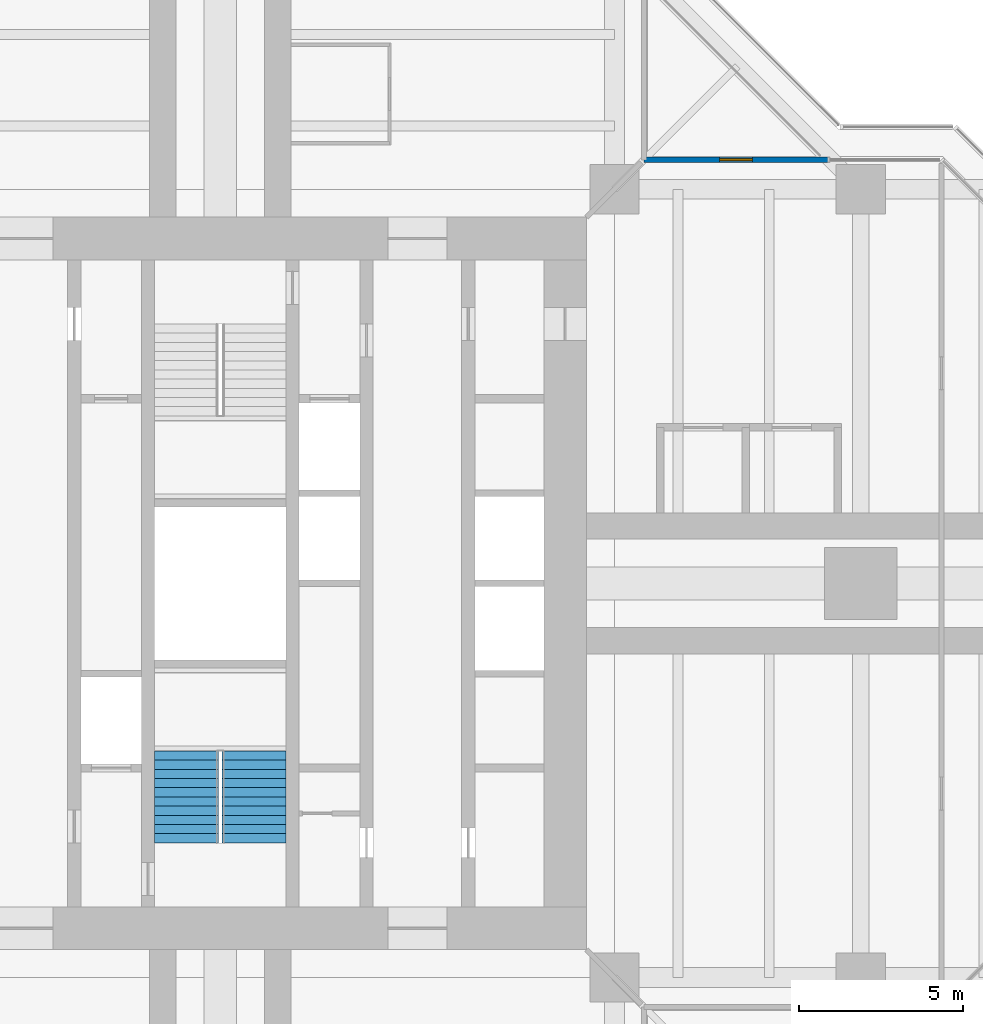
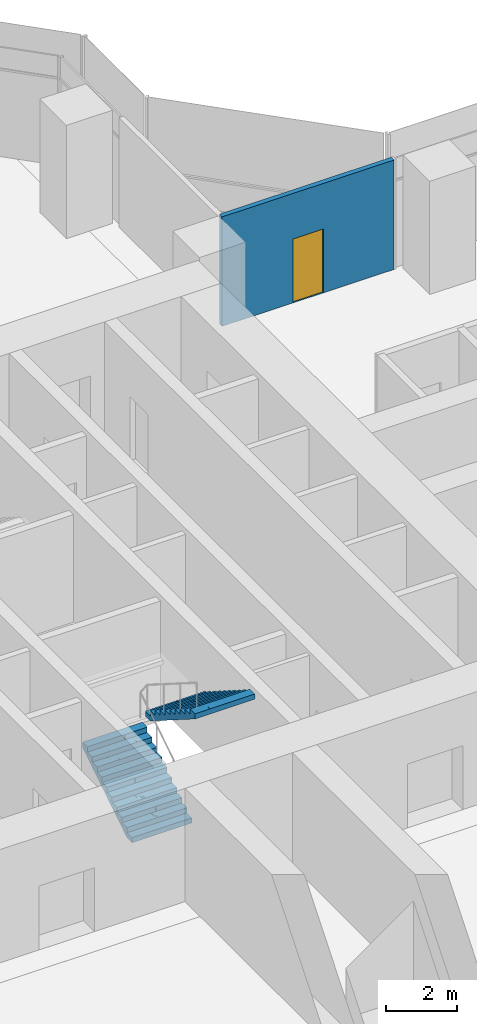
# One storey, part 17 of 19: 2 stair flights, 1 door, 1 wall, 1 opening, 1 element without a shape of its own.
"""IFC4 building model written with IfcOpenShell, lengths in metres."""

from ifc_helpers import new_model, si_unit, direction, frame, frame_2d, origin, place, context, subcontext, project, spatial, polyline, rectangle, outline, extrude, material, layer, layer_set, type_object, element, fill, aggregate, save


model = new_model("IFC4")

# Units and contexts
model_context = context("Model", 3, precision=1e-05, world=origin(), true_north=direction((0.0, 1.0)))
body_context = subcontext(model_context, "Body", "Model", "MODEL_VIEW")
ifc_project = project(units=[si_unit("LENGTHUNIT", "METRE"), si_unit("AREAUNIT", "SQUARE_METRE"), si_unit("VOLUMEUNIT", "CUBIC_METRE"), si_unit("PLANEANGLEUNIT", "RADIAN"), si_unit("MASSUNIT", "GRAM", prefix="KILO")], contexts=[model_context])

# Site, building, storey
site_placement = place(None, origin())
site = spatial("IfcSite", under=ifc_project, at=site_placement, CompositionType="ELEMENT")
building_placement = place(site_placement, origin())
building = spatial("IfcBuilding", under=site, at=building_placement, Name="Mizan Broadcast Tower", CompositionType="ELEMENT")
storey_placement = place(building_placement, frame((0.0, 0.0, 204.89990234375)))
storey = spatial("IfcBuildingStorey", under=building, at=storey_placement, Name="L47", CompositionType="ELEMENT", Elevation=204.89990234375)

# Wall, opening, door
ifc_material_1 = material(Name="Aluminium framed glazed screen", Category="aluminium")
ifc_layer = layer(ifc_material_1, 0.159912109375)
ifc_layer_set = layer_set([ifc_layer], Name="Aluminium framed glazed screen")
wall_type = type_object("IfcWallType", Name="GLAZED SCREEN WALL 160", PredefinedType="SOLIDWALL", material=ifc_layer_set)
wall_placement = place(storey_placement, frame((18.5, 12.89990234375, 0.0), z_axis=(0.0, 0.0, 1.0), x_axis=(-1.0, 0.0, 0.0)))
wall = element("IfcWall", 1, at=wall_placement, inside=storey, type_object=wall_type, Name="Winter garden screen L47 E", PredefinedType="SOLIDWALL", context=body_context, shape_type="SweptSolid", body=[
    extrude(rectangle(XDim=5.60009765625, YDim=0.159912109375, at=frame_2d((2.800048828125, 0.0))), origin(), (0.0, 0.0, 1.0), 3.77001953125),
])
opening_placement = place(wall_placement, frame((2.300048828125, 0.0, 0.0)))
opening = element("IfcOpeningElement", 2, at=opening_placement, cuts=wall, Name="Opening WGD", PredefinedType="OPENING", context=body_context, shape_type="SweptSolid", body=[
    extrude(rectangle(XDim=1.0, YDim=2.199951171875, at=frame_2d((0.5, 1.10009765625))), frame((0.0, 0.08984375, 0.0), z_axis=(0.0, -1.0, 0.0), x_axis=(1.0, 0.0, 0.0)), (0.0, 0.0, 1.0), 0.179931640625),
])
ifc_material_2 = material(Name="Aluminium framed glazed door", Category="aluminium")
door_type = type_object("IfcDoorType", Name="WINTER GARDEN DOOR 1000 GLAZED", OperationType="SINGLE_SWING_LEFT", PredefinedType="DOOR", material=ifc_material_2)
door_placement = place(opening_placement, origin())
door = element("IfcDoor", 3, at=door_placement, inside=storey, type_object=door_type, Name="Winter garden door L47 E", OperationType="SINGLE_SWING_RIGHT", OverallHeight=2.199951171875, OverallWidth=1.0, PredefinedType="DOOR", context=body_context, shape_type="SweptSolid", body=[
    extrude(rectangle(XDim=1.0, YDim=2.199951171875, at=frame_2d((0.5, 1.10009765625))), frame((0.0, 0.02490234375, 0.0), z_axis=(0.0, -1.0, 0.0), x_axis=(1.0, 0.0, 0.0)), (0.0, 0.0, 1.0), 0.050048828125),
])
fill(opening, door)

# Stair, stair flights
ifc_material_3 = material(Name="Concrete C40/50", Category="concrete")
stair_type = type_object("IfcStairType", Name="EXIT STAIR", PredefinedType="HALF_TURN_STAIR", material=ifc_material_3)
stair_placement = place(storey_placement, origin())
stair = element("IfcStair", 4, at=stair_placement, inside=storey, type_object=stair_type, Name="Stair A L47", PredefinedType="HALF_TURN_STAIR")
ifc_material_4 = material(Name="Concrete C40/50", Category="concrete")
stair_flight_type = type_object("IfcStairFlightType", Name="EXIT STAIR FLIGHT", PredefinedType="STRAIGHT", material=ifc_material_4)
stair_flight_1_placement = place(storey_placement, frame((-1.02490234375, -7.89990234375, 0.0), z_axis=(0.0, 0.0, 1.0), x_axis=(0.0, 1.0, 0.0)))
stair_flight_1 = element("IfcStairFlight", 5, at=stair_flight_1_placement, type_object=stair_flight_type, Name="A flight 1", NumberOfRisers=11, NumberOfTreads=10, PredefinedType="STRAIGHT", RiserHeight=0.177272727, TreadLength=0.28, context=body_context, shape_type="SweptSolid", body=[
    extrude(outline(polyline([(0.0, 0.0), (0.0, 0.17724609375), (0.280029296875, 0.17724609375), (0.280029296875, 0.3544921875), (0.56005859375, 0.3544921875), (0.56005859375, 0.53173828125), (0.840087890625, 0.53173828125), (0.840087890625, 0.708984375), (1.1201171875, 0.708984375), (1.1201171875, 0.886474609375), (1.39990234375, 0.886474609375), (1.39990234375, 1.063720703125), (1.679931640625, 1.063720703125), (1.679931640625, 1.240966796875), (1.9599609375, 1.240966796875), (1.9599609375, 1.418212890625), (2.239990234375, 1.418212890625), (2.239990234375, 1.595458984375), (2.52001953125, 1.595458984375), (2.52001953125, 1.772705078125), (2.800048828125, 1.772705078125), (2.800048828125, 1.949951171875), (2.800048828125, 1.59521484375), (0.2802734375, 0.0), (0.0, 0.0)])), frame((0.0, 0.97509765625, 0.0), z_axis=(0.0, -1.0, 0.0), x_axis=(1.0, 0.0, 0.0)), (0.0, 0.0, 1.0), 0.4873046875),
    extrude(outline(polyline([(0.0, 0.0), (0.0, 0.17724609375), (0.280029296875, 0.17724609375), (0.280029296875, 0.3544921875), (0.56005859375, 0.3544921875), (0.56005859375, 0.53173828125), (0.840087890625, 0.53173828125), (0.840087890625, 0.708984375), (1.1201171875, 0.708984375), (1.1201171875, 0.886474609375), (1.39990234375, 0.886474609375), (1.39990234375, 1.063720703125), (1.679931640625, 1.063720703125), (1.679931640625, 1.240966796875), (1.9599609375, 1.240966796875), (1.9599609375, 1.418212890625), (2.239990234375, 1.418212890625), (2.239990234375, 1.595458984375), (2.52001953125, 1.595458984375), (2.52001953125, 1.772705078125), (2.800048828125, 1.772705078125), (2.800048828125, 1.949951171875), (2.800048828125, 1.59521484375), (0.2802734375, 0.0), (0.0, 0.0)])), frame((0.0, 0.4873046875, 0.0), z_axis=(0.0, -1.0, 0.0), x_axis=(1.0, 0.0, 0.0)), (0.0, 0.0, 1.0), 0.2431640625),
    extrude(outline(polyline([(0.0, 0.0), (0.0, 0.17724609375), (0.280029296875, 0.17724609375), (0.280029296875, 0.3544921875), (0.56005859375, 0.3544921875), (0.56005859375, 0.53173828125), (0.840087890625, 0.53173828125), (0.840087890625, 0.708984375), (1.1201171875, 0.708984375), (1.1201171875, 0.886474609375), (1.39990234375, 0.886474609375), (1.39990234375, 1.063720703125), (1.679931640625, 1.063720703125), (1.679931640625, 1.240966796875), (1.9599609375, 1.240966796875), (1.9599609375, 1.418212890625), (2.239990234375, 1.418212890625), (2.239990234375, 1.595458984375), (2.52001953125, 1.595458984375), (2.52001953125, 1.772705078125), (2.800048828125, 1.772705078125), (2.800048828125, 1.949951171875), (2.800048828125, 1.59521484375), (0.2802734375, 0.0), (0.0, 0.0)])), frame((0.0, 0.24365234375, 0.0), z_axis=(0.0, -1.0, 0.0), x_axis=(1.0, 0.0, 0.0)), (0.0, 0.0, 1.0), 0.121337890625),
    extrude(outline(polyline([(0.0, 0.0), (0.0, 0.17724609375), (0.280029296875, 0.17724609375), (0.280029296875, 0.3544921875), (0.56005859375, 0.3544921875), (0.56005859375, 0.53173828125), (0.840087890625, 0.53173828125), (0.840087890625, 0.708984375), (1.1201171875, 0.708984375), (1.1201171875, 0.886474609375), (1.39990234375, 0.886474609375), (1.39990234375, 1.063720703125), (1.679931640625, 1.063720703125), (1.679931640625, 1.240966796875), (1.9599609375, 1.240966796875), (1.9599609375, 1.418212890625), (2.239990234375, 1.418212890625), (2.239990234375, 1.595458984375), (2.52001953125, 1.595458984375), (2.52001953125, 1.772705078125), (2.800048828125, 1.772705078125), (2.800048828125, 1.949951171875), (2.800048828125, 1.59521484375), (0.2802734375, 0.0), (0.0, 0.0)])), frame((0.0, 0.121826171875, 0.0), z_axis=(0.0, -1.0, 0.0), x_axis=(1.0, 0.0, 0.0)), (0.0, 0.0, 1.0), 0.060546875),
    extrude(outline(polyline([(0.0, 0.0), (0.0, 0.17724609375), (0.280029296875, 0.17724609375), (0.280029296875, 0.3544921875), (0.56005859375, 0.3544921875), (0.56005859375, 0.53173828125), (0.840087890625, 0.53173828125), (0.840087890625, 0.708984375), (1.1201171875, 0.708984375), (1.1201171875, 0.886474609375), (1.39990234375, 0.886474609375), (1.39990234375, 1.063720703125), (1.679931640625, 1.063720703125), (1.679931640625, 1.240966796875), (1.9599609375, 1.240966796875), (1.9599609375, 1.418212890625), (2.239990234375, 1.418212890625), (2.239990234375, 1.595458984375), (2.52001953125, 1.595458984375), (2.52001953125, 1.772705078125), (2.800048828125, 1.772705078125), (2.800048828125, 1.949951171875), (2.800048828125, 1.59521484375), (0.2802734375, 0.0), (0.0, 0.0)])), frame((0.0, 0.060791015625, 0.0), z_axis=(0.0, -1.0, 0.0), x_axis=(1.0, 0.0, 0.0)), (0.0, 0.0, 1.0), 0.030029296875),
    extrude(outline(polyline([(0.0, 0.0), (0.0, 0.17724609375), (0.280029296875, 0.17724609375), (0.280029296875, 0.3544921875), (0.56005859375, 0.3544921875), (0.56005859375, 0.53173828125), (0.840087890625, 0.53173828125), (0.840087890625, 0.708984375), (1.1201171875, 0.708984375), (1.1201171875, 0.886474609375), (1.39990234375, 0.886474609375), (1.39990234375, 1.063720703125), (1.679931640625, 1.063720703125), (1.679931640625, 1.240966796875), (1.9599609375, 1.240966796875), (1.9599609375, 1.418212890625), (2.239990234375, 1.418212890625), (2.239990234375, 1.595458984375), (2.52001953125, 1.595458984375), (2.52001953125, 1.772705078125), (2.800048828125, 1.772705078125), (2.800048828125, 1.949951171875), (2.800048828125, 1.59521484375), (0.2802734375, 0.0), (0.0, 0.0)])), frame((0.0, 0.0302734375, 0.0), z_axis=(0.0, -1.0, 0.0), x_axis=(1.0, 0.0, 0.0)), (0.0, 0.0, 1.0), 0.060302734375),
    extrude(outline(polyline([(0.0, 0.0), (0.0, 0.17724609375), (0.280029296875, 0.17724609375), (0.280029296875, 0.3544921875), (0.56005859375, 0.3544921875), (0.56005859375, 0.53173828125), (0.840087890625, 0.53173828125), (0.840087890625, 0.708984375), (1.1201171875, 0.708984375), (1.1201171875, 0.886474609375), (1.39990234375, 0.886474609375), (1.39990234375, 1.063720703125), (1.679931640625, 1.063720703125), (1.679931640625, 1.240966796875), (1.9599609375, 1.240966796875), (1.9599609375, 1.418212890625), (2.239990234375, 1.418212890625), (2.239990234375, 1.595458984375), (2.52001953125, 1.595458984375), (2.52001953125, 1.772705078125), (2.800048828125, 1.772705078125), (2.800048828125, 1.949951171875), (2.800048828125, 1.59521484375), (0.2802734375, 0.0), (0.0, 0.0)])), frame((0.0, -0.030517578125, 0.0), z_axis=(0.0, -1.0, 0.0), x_axis=(1.0, 0.0, 0.0)), (0.0, 0.0, 1.0), 0.030029296875),
    extrude(outline(polyline([(0.0, 0.0), (0.0, 0.17724609375), (0.280029296875, 0.17724609375), (0.280029296875, 0.3544921875), (0.56005859375, 0.3544921875), (0.56005859375, 0.53173828125), (0.840087890625, 0.53173828125), (0.840087890625, 0.708984375), (1.1201171875, 0.708984375), (1.1201171875, 0.886474609375), (1.39990234375, 0.886474609375), (1.39990234375, 1.063720703125), (1.679931640625, 1.063720703125), (1.679931640625, 1.240966796875), (1.9599609375, 1.240966796875), (1.9599609375, 1.418212890625), (2.239990234375, 1.418212890625), (2.239990234375, 1.595458984375), (2.52001953125, 1.595458984375), (2.52001953125, 1.772705078125), (2.800048828125, 1.772705078125), (2.800048828125, 1.949951171875), (2.800048828125, 1.59521484375), (0.2802734375, 0.0), (0.0, 0.0)])), frame((0.0, -0.06103515625, 0.0), z_axis=(0.0, -1.0, 0.0), x_axis=(1.0, 0.0, 0.0)), (0.0, 0.0, 1.0), 0.060546875),
    extrude(outline(polyline([(0.0, 0.0), (0.0, 0.17724609375), (0.280029296875, 0.17724609375), (0.280029296875, 0.3544921875), (0.56005859375, 0.3544921875), (0.56005859375, 0.53173828125), (0.840087890625, 0.53173828125), (0.840087890625, 0.708984375), (1.1201171875, 0.708984375), (1.1201171875, 0.886474609375), (1.39990234375, 0.886474609375), (1.39990234375, 1.063720703125), (1.679931640625, 1.063720703125), (1.679931640625, 1.240966796875), (1.9599609375, 1.240966796875), (1.9599609375, 1.418212890625), (2.239990234375, 1.418212890625), (2.239990234375, 1.595458984375), (2.52001953125, 1.595458984375), (2.52001953125, 1.772705078125), (2.800048828125, 1.772705078125), (2.800048828125, 1.949951171875), (2.800048828125, 1.59521484375), (0.2802734375, 0.0), (0.0, 0.0)])), frame((0.0, -0.1220703125, 0.0), z_axis=(0.0, -1.0, 0.0), x_axis=(1.0, 0.0, 0.0)), (0.0, 0.0, 1.0), 0.121337890625),
    extrude(outline(polyline([(0.0, 0.0), (0.0, 0.17724609375), (0.280029296875, 0.17724609375), (0.280029296875, 0.3544921875), (0.56005859375, 0.3544921875), (0.56005859375, 0.53173828125), (0.840087890625, 0.53173828125), (0.840087890625, 0.708984375), (1.1201171875, 0.708984375), (1.1201171875, 0.886474609375), (1.39990234375, 0.886474609375), (1.39990234375, 1.063720703125), (1.679931640625, 1.063720703125), (1.679931640625, 1.240966796875), (1.9599609375, 1.240966796875), (1.9599609375, 1.418212890625), (2.239990234375, 1.418212890625), (2.239990234375, 1.595458984375), (2.52001953125, 1.595458984375), (2.52001953125, 1.772705078125), (2.800048828125, 1.772705078125), (2.800048828125, 1.949951171875), (2.800048828125, 1.59521484375), (0.2802734375, 0.0), (0.0, 0.0)])), frame((0.0, -0.243896484375, 0.0), z_axis=(0.0, -1.0, 0.0), x_axis=(1.0, 0.0, 0.0)), (0.0, 0.0, 1.0), 0.2431640625),
    extrude(outline(polyline([(0.0, 0.0), (0.0, 0.17724609375), (0.280029296875, 0.17724609375), (0.280029296875, 0.3544921875), (0.56005859375, 0.3544921875), (0.56005859375, 0.53173828125), (0.840087890625, 0.53173828125), (0.840087890625, 0.708984375), (1.1201171875, 0.708984375), (1.1201171875, 0.886474609375), (1.39990234375, 0.886474609375), (1.39990234375, 1.063720703125), (1.679931640625, 1.063720703125), (1.679931640625, 1.240966796875), (1.9599609375, 1.240966796875), (1.9599609375, 1.418212890625), (2.239990234375, 1.418212890625), (2.239990234375, 1.595458984375), (2.52001953125, 1.595458984375), (2.52001953125, 1.772705078125), (2.800048828125, 1.772705078125), (2.800048828125, 1.949951171875), (2.800048828125, 1.59521484375), (0.2802734375, 0.0), (0.0, 0.0)])), frame((0.0, -0.487548828125, 0.0), z_axis=(0.0, -1.0, 0.0), x_axis=(1.0, 0.0, 0.0)), (0.0, 0.0, 1.0), 0.4873046875),
])
stair_flight_2_placement = place(storey_placement, frame((1.02490234375, -5.10009765625, 1.9501953125), z_axis=(0.0, 0.0, 1.0), x_axis=(0.0, -1.0, 0.0)))
stair_flight_2 = element("IfcStairFlight", 6, at=stair_flight_2_placement, type_object=stair_flight_type, Name="A flight 2", NumberOfRisers=11, NumberOfTreads=10, PredefinedType="STRAIGHT", RiserHeight=0.177272727, TreadLength=0.28, context=body_context, shape_type="SweptSolid", body=[
    extrude(outline(polyline([(0.0, 0.0), (0.0, 0.17724609375), (0.280029296875, 0.17724609375), (0.280029296875, 0.3544921875), (0.56005859375, 0.3544921875), (0.56005859375, 0.53173828125), (0.840087890625, 0.53173828125), (0.840087890625, 0.708984375), (1.1201171875, 0.708984375), (1.1201171875, 0.886474609375), (1.39990234375, 0.886474609375), (1.39990234375, 1.063720703125), (1.679931640625, 1.063720703125), (1.679931640625, 1.240966796875), (1.9599609375, 1.240966796875), (1.9599609375, 1.418212890625), (2.239990234375, 1.418212890625), (2.239990234375, 1.595458984375), (2.52001953125, 1.595458984375), (2.52001953125, 1.772705078125), (2.800048828125, 1.772705078125), (2.800048828125, 1.949951171875), (2.800048828125, 1.59521484375), (0.2802734375, 0.0), (0.0, 0.0)])), frame((0.0, 0.97509765625, 0.0), z_axis=(0.0, -1.0, 0.0), x_axis=(1.0, 0.0, 0.0)), (0.0, 0.0, 1.0), 0.4873046875),
    extrude(outline(polyline([(0.0, 0.0), (0.0, 0.17724609375), (0.280029296875, 0.17724609375), (0.280029296875, 0.3544921875), (0.56005859375, 0.3544921875), (0.56005859375, 0.53173828125), (0.840087890625, 0.53173828125), (0.840087890625, 0.708984375), (1.1201171875, 0.708984375), (1.1201171875, 0.886474609375), (1.39990234375, 0.886474609375), (1.39990234375, 1.063720703125), (1.679931640625, 1.063720703125), (1.679931640625, 1.240966796875), (1.9599609375, 1.240966796875), (1.9599609375, 1.418212890625), (2.239990234375, 1.418212890625), (2.239990234375, 1.595458984375), (2.52001953125, 1.595458984375), (2.52001953125, 1.772705078125), (2.800048828125, 1.772705078125), (2.800048828125, 1.949951171875), (2.800048828125, 1.59521484375), (0.2802734375, 0.0), (0.0, 0.0)])), frame((0.0, 0.4873046875, 0.0), z_axis=(0.0, -1.0, 0.0), x_axis=(1.0, 0.0, 0.0)), (0.0, 0.0, 1.0), 0.2431640625),
    extrude(outline(polyline([(0.0, 0.0), (0.0, 0.17724609375), (0.280029296875, 0.17724609375), (0.280029296875, 0.3544921875), (0.56005859375, 0.3544921875), (0.56005859375, 0.53173828125), (0.840087890625, 0.53173828125), (0.840087890625, 0.708984375), (1.1201171875, 0.708984375), (1.1201171875, 0.886474609375), (1.39990234375, 0.886474609375), (1.39990234375, 1.063720703125), (1.679931640625, 1.063720703125), (1.679931640625, 1.240966796875), (1.9599609375, 1.240966796875), (1.9599609375, 1.418212890625), (2.239990234375, 1.418212890625), (2.239990234375, 1.595458984375), (2.52001953125, 1.595458984375), (2.52001953125, 1.772705078125), (2.800048828125, 1.772705078125), (2.800048828125, 1.949951171875), (2.800048828125, 1.59521484375), (0.2802734375, 0.0), (0.0, 0.0)])), frame((0.0, 0.24365234375, 0.0), z_axis=(0.0, -1.0, 0.0), x_axis=(1.0, 0.0, 0.0)), (0.0, 0.0, 1.0), 0.121337890625),
    extrude(outline(polyline([(0.0, 0.0), (0.0, 0.17724609375), (0.280029296875, 0.17724609375), (0.280029296875, 0.3544921875), (0.56005859375, 0.3544921875), (0.56005859375, 0.53173828125), (0.840087890625, 0.53173828125), (0.840087890625, 0.708984375), (1.1201171875, 0.708984375), (1.1201171875, 0.886474609375), (1.39990234375, 0.886474609375), (1.39990234375, 1.063720703125), (1.679931640625, 1.063720703125), (1.679931640625, 1.240966796875), (1.9599609375, 1.240966796875), (1.9599609375, 1.418212890625), (2.239990234375, 1.418212890625), (2.239990234375, 1.595458984375), (2.52001953125, 1.595458984375), (2.52001953125, 1.772705078125), (2.800048828125, 1.772705078125), (2.800048828125, 1.949951171875), (2.800048828125, 1.59521484375), (0.2802734375, 0.0), (0.0, 0.0)])), frame((0.0, 0.121826171875, 0.0), z_axis=(0.0, -1.0, 0.0), x_axis=(1.0, 0.0, 0.0)), (0.0, 0.0, 1.0), 0.060546875),
    extrude(outline(polyline([(0.0, 0.0), (0.0, 0.17724609375), (0.280029296875, 0.17724609375), (0.280029296875, 0.3544921875), (0.56005859375, 0.3544921875), (0.56005859375, 0.53173828125), (0.840087890625, 0.53173828125), (0.840087890625, 0.708984375), (1.1201171875, 0.708984375), (1.1201171875, 0.886474609375), (1.39990234375, 0.886474609375), (1.39990234375, 1.063720703125), (1.679931640625, 1.063720703125), (1.679931640625, 1.240966796875), (1.9599609375, 1.240966796875), (1.9599609375, 1.418212890625), (2.239990234375, 1.418212890625), (2.239990234375, 1.595458984375), (2.52001953125, 1.595458984375), (2.52001953125, 1.772705078125), (2.800048828125, 1.772705078125), (2.800048828125, 1.949951171875), (2.800048828125, 1.59521484375), (0.2802734375, 0.0), (0.0, 0.0)])), frame((0.0, 0.060791015625, 0.0), z_axis=(0.0, -1.0, 0.0), x_axis=(1.0, 0.0, 0.0)), (0.0, 0.0, 1.0), 0.030029296875),
    extrude(outline(polyline([(0.0, 0.0), (0.0, 0.17724609375), (0.280029296875, 0.17724609375), (0.280029296875, 0.3544921875), (0.56005859375, 0.3544921875), (0.56005859375, 0.53173828125), (0.840087890625, 0.53173828125), (0.840087890625, 0.708984375), (1.1201171875, 0.708984375), (1.1201171875, 0.886474609375), (1.39990234375, 0.886474609375), (1.39990234375, 1.063720703125), (1.679931640625, 1.063720703125), (1.679931640625, 1.240966796875), (1.9599609375, 1.240966796875), (1.9599609375, 1.418212890625), (2.239990234375, 1.418212890625), (2.239990234375, 1.595458984375), (2.52001953125, 1.595458984375), (2.52001953125, 1.772705078125), (2.800048828125, 1.772705078125), (2.800048828125, 1.949951171875), (2.800048828125, 1.59521484375), (0.2802734375, 0.0), (0.0, 0.0)])), frame((0.0, 0.0302734375, 0.0), z_axis=(0.0, -1.0, 0.0), x_axis=(1.0, 0.0, 0.0)), (0.0, 0.0, 1.0), 0.060302734375),
    extrude(outline(polyline([(0.0, 0.0), (0.0, 0.17724609375), (0.280029296875, 0.17724609375), (0.280029296875, 0.3544921875), (0.56005859375, 0.3544921875), (0.56005859375, 0.53173828125), (0.840087890625, 0.53173828125), (0.840087890625, 0.708984375), (1.1201171875, 0.708984375), (1.1201171875, 0.886474609375), (1.39990234375, 0.886474609375), (1.39990234375, 1.063720703125), (1.679931640625, 1.063720703125), (1.679931640625, 1.240966796875), (1.9599609375, 1.240966796875), (1.9599609375, 1.418212890625), (2.239990234375, 1.418212890625), (2.239990234375, 1.595458984375), (2.52001953125, 1.595458984375), (2.52001953125, 1.772705078125), (2.800048828125, 1.772705078125), (2.800048828125, 1.949951171875), (2.800048828125, 1.59521484375), (0.2802734375, 0.0), (0.0, 0.0)])), frame((0.0, -0.030517578125, 0.0), z_axis=(0.0, -1.0, 0.0), x_axis=(1.0, 0.0, 0.0)), (0.0, 0.0, 1.0), 0.030029296875),
    extrude(outline(polyline([(0.0, 0.0), (0.0, 0.17724609375), (0.280029296875, 0.17724609375), (0.280029296875, 0.3544921875), (0.56005859375, 0.3544921875), (0.56005859375, 0.53173828125), (0.840087890625, 0.53173828125), (0.840087890625, 0.708984375), (1.1201171875, 0.708984375), (1.1201171875, 0.886474609375), (1.39990234375, 0.886474609375), (1.39990234375, 1.063720703125), (1.679931640625, 1.063720703125), (1.679931640625, 1.240966796875), (1.9599609375, 1.240966796875), (1.9599609375, 1.418212890625), (2.239990234375, 1.418212890625), (2.239990234375, 1.595458984375), (2.52001953125, 1.595458984375), (2.52001953125, 1.772705078125), (2.800048828125, 1.772705078125), (2.800048828125, 1.949951171875), (2.800048828125, 1.59521484375), (0.2802734375, 0.0), (0.0, 0.0)])), frame((0.0, -0.06103515625, 0.0), z_axis=(0.0, -1.0, 0.0), x_axis=(1.0, 0.0, 0.0)), (0.0, 0.0, 1.0), 0.060546875),
    extrude(outline(polyline([(0.0, 0.0), (0.0, 0.17724609375), (0.280029296875, 0.17724609375), (0.280029296875, 0.3544921875), (0.56005859375, 0.3544921875), (0.56005859375, 0.53173828125), (0.840087890625, 0.53173828125), (0.840087890625, 0.708984375), (1.1201171875, 0.708984375), (1.1201171875, 0.886474609375), (1.39990234375, 0.886474609375), (1.39990234375, 1.063720703125), (1.679931640625, 1.063720703125), (1.679931640625, 1.240966796875), (1.9599609375, 1.240966796875), (1.9599609375, 1.418212890625), (2.239990234375, 1.418212890625), (2.239990234375, 1.595458984375), (2.52001953125, 1.595458984375), (2.52001953125, 1.772705078125), (2.800048828125, 1.772705078125), (2.800048828125, 1.949951171875), (2.800048828125, 1.59521484375), (0.2802734375, 0.0), (0.0, 0.0)])), frame((0.0, -0.1220703125, 0.0), z_axis=(0.0, -1.0, 0.0), x_axis=(1.0, 0.0, 0.0)), (0.0, 0.0, 1.0), 0.121337890625),
    extrude(outline(polyline([(0.0, 0.0), (0.0, 0.17724609375), (0.280029296875, 0.17724609375), (0.280029296875, 0.3544921875), (0.56005859375, 0.3544921875), (0.56005859375, 0.53173828125), (0.840087890625, 0.53173828125), (0.840087890625, 0.708984375), (1.1201171875, 0.708984375), (1.1201171875, 0.886474609375), (1.39990234375, 0.886474609375), (1.39990234375, 1.063720703125), (1.679931640625, 1.063720703125), (1.679931640625, 1.240966796875), (1.9599609375, 1.240966796875), (1.9599609375, 1.418212890625), (2.239990234375, 1.418212890625), (2.239990234375, 1.595458984375), (2.52001953125, 1.595458984375), (2.52001953125, 1.772705078125), (2.800048828125, 1.772705078125), (2.800048828125, 1.949951171875), (2.800048828125, 1.59521484375), (0.2802734375, 0.0), (0.0, 0.0)])), frame((0.0, -0.243896484375, 0.0), z_axis=(0.0, -1.0, 0.0), x_axis=(1.0, 0.0, 0.0)), (0.0, 0.0, 1.0), 0.2431640625),
    extrude(outline(polyline([(0.0, 0.0), (0.0, 0.17724609375), (0.280029296875, 0.17724609375), (0.280029296875, 0.3544921875), (0.56005859375, 0.3544921875), (0.56005859375, 0.53173828125), (0.840087890625, 0.53173828125), (0.840087890625, 0.708984375), (1.1201171875, 0.708984375), (1.1201171875, 0.886474609375), (1.39990234375, 0.886474609375), (1.39990234375, 1.063720703125), (1.679931640625, 1.063720703125), (1.679931640625, 1.240966796875), (1.9599609375, 1.240966796875), (1.9599609375, 1.418212890625), (2.239990234375, 1.418212890625), (2.239990234375, 1.595458984375), (2.52001953125, 1.595458984375), (2.52001953125, 1.772705078125), (2.800048828125, 1.772705078125), (2.800048828125, 1.949951171875), (2.800048828125, 1.59521484375), (0.2802734375, 0.0), (0.0, 0.0)])), frame((0.0, -0.487548828125, 0.0), z_axis=(0.0, -1.0, 0.0), x_axis=(1.0, 0.0, 0.0)), (0.0, 0.0, 1.0), 0.4873046875),
])
aggregate(stair, [stair_flight_1, stair_flight_2])

save(model, "model.ifc")
